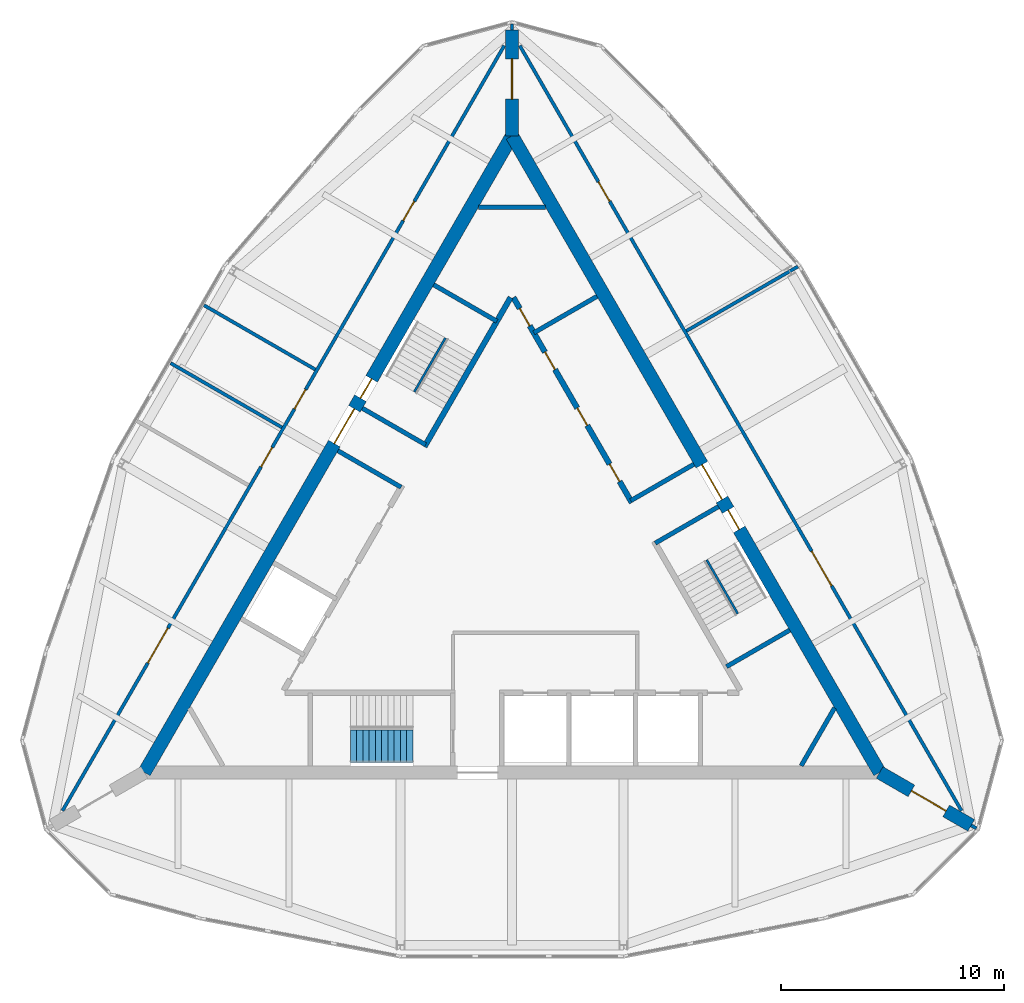
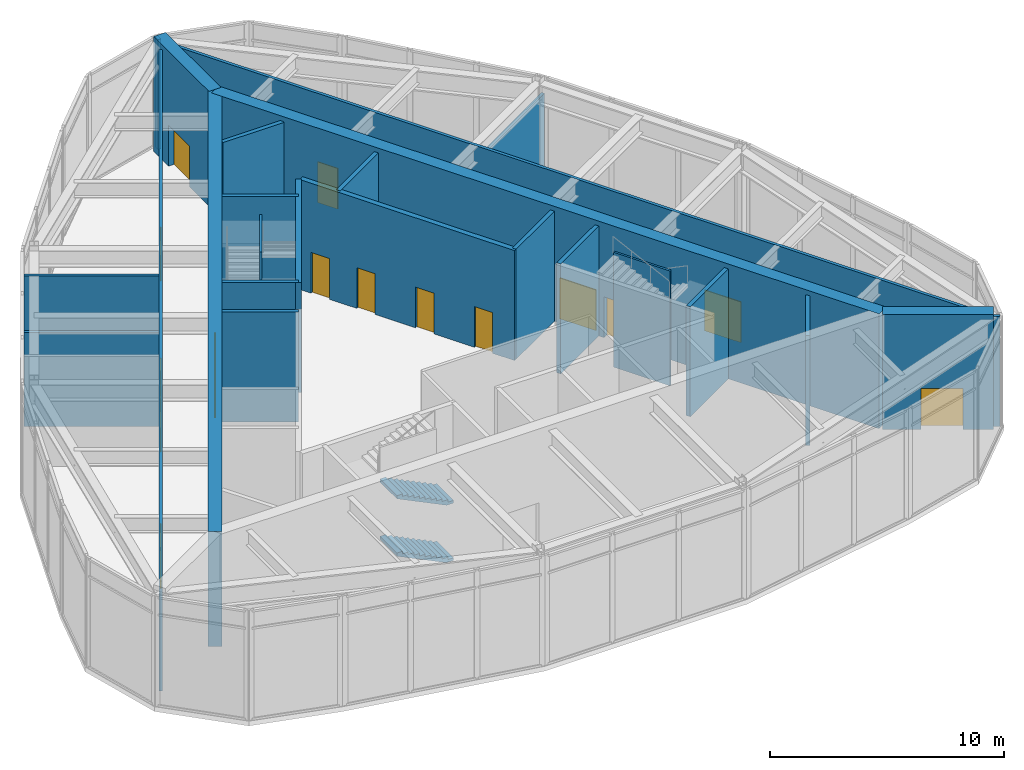
# One storey, part 7 of 9: 24 walls, 16 doors, 2 stair flights, 16 openings, 1 element without a shape of its own.
"""IFC4 building model written with IfcOpenShell, lengths in metres."""

from ifc_helpers import new_model, si_unit, direction, frame, frame_2d, origin, place, context, subcontext, project, spatial, polyline, rectangle, outline, extrude, material, layer, layer_set, type_object, element, fill, aggregate, save


model = new_model("IFC4")

# Units and contexts
model_context = context("Model", 3, precision=1e-05, world=origin(), true_north=direction((0.0, 1.0)))
body_context = subcontext(model_context, "Body", "Model", "MODEL_VIEW")
ifc_project = project(units=[si_unit("LENGTHUNIT", "METRE"), si_unit("AREAUNIT", "SQUARE_METRE"), si_unit("VOLUMEUNIT", "CUBIC_METRE"), si_unit("PLANEANGLEUNIT", "RADIAN"), si_unit("MASSUNIT", "GRAM", prefix="KILO")], contexts=[model_context])

# Site, building, storey
site_placement = place(None, origin())
site = spatial("IfcSite", under=ifc_project, at=site_placement, CompositionType="ELEMENT")
building_placement = place(site_placement, origin())
building = spatial("IfcBuilding", under=site, at=building_placement, Name="Trikona Tower", CompositionType="ELEMENT")
storey_placement = place(building_placement, frame((0.0, 0.0, 286.800048828125)))
storey = spatial("IfcBuildingStorey", under=building, at=storey_placement, Name="L75", CompositionType="ELEMENT", Elevation=286.800048828125)

# Wall, opening, door
ifc_material_1 = material(Name="Concrete f'c 10000 psi", Category="concrete")
ifc_layer_1 = layer(ifc_material_1, 0.60009765625)
ifc_layer_set_1 = layer_set([ifc_layer_1], Name="Buttress wall 600")
wall_type_1 = type_object("IfcWallType", Name="Buttress wall 600", PredefinedType="SHEAR", material=ifc_layer_set_1)
wall_1_placement = place(storey_placement, frame((16.5, -9.5263671875, 0.0), z_axis=(0.0, 0.0, 1.0), x_axis=(0.866031398331, -0.499989616998, 0.0)))
wall_1 = element("IfcWall", 1, at=wall_1_placement, inside=storey, type_object=wall_type_1, Name="Buttress wall 1", PredefinedType="SHEAR", context=body_context, shape_type="SweptSolid", body=[
    extrude(rectangle(XDim=4.74609375, YDim=0.60009765625, at=frame_2d((2.373046875, 0.0))), origin(), (0.0, 0.0, 1.0), 6.0),
])
opening_1_placement = place(wall_1_placement, frame((1.64990234375, 0.0, 0.0)))
opening_1 = element("IfcOpeningElement", 2, at=opening_1_placement, cuts=wall_1, Name="Opening D10", PredefinedType="OPENING", context=body_context, shape_type="SweptSolid", body=[
    extrude(rectangle(XDim=1.800048828125, YDim=2.1298828125, at=frame_2d((0.89990234375, 1.06494140625))), frame((0.0, 0.31005859375, 0.0), z_axis=(0.0, -1.0, 0.0), x_axis=(1.0, 0.0, 0.0)), (0.0, 0.0, 1.0), 0.6201171875),
])
ifc_material_2 = material(Name="Hollow metal door and frame", Category="steel")
door_type_1 = type_object("IfcDoorType", Name="Cross-corridor door pair 1800x2130", OperationType="DOUBLE_DOOR_DOUBLE_SWING", PredefinedType="DOOR", material=ifc_material_2)
door_1_placement = place(opening_1_placement, origin())
door_1 = element("IfcDoor", 3, at=door_1_placement, inside=storey, type_object=door_type_1, Name="Cross-corridor door 1", OperationType="DOUBLE_DOOR_DOUBLE_SWING", OverallHeight=2.1298828125, OverallWidth=1.800048828125, PredefinedType="DOOR", context=body_context, shape_type="SweptSolid", body=[
    extrude(rectangle(XDim=1.800048828125, YDim=2.1298828125, at=frame_2d((0.89990234375, 1.06494140625))), frame((0.0, 0.02490234375, 0.0), z_axis=(0.0, -1.0, 0.0), x_axis=(1.0, 0.0, 0.0)), (0.0, 0.0, 1.0), 0.050048828125),
])
fill(opening_1, door_1)

wall_2_placement = place(storey_placement, frame((0.0, 19.052490234375, 0.0), z_axis=(0.0, 0.0, 1.0), x_axis=(0.0, 1.0, 0.0)))
wall_2 = element("IfcWall", 4, at=wall_2_placement, inside=storey, type_object=wall_type_1, Name="Buttress wall 2", PredefinedType="SHEAR", context=body_context, shape_type="SweptSolid", body=[
    extrude(rectangle(XDim=4.74609375, YDim=0.60009765625, at=frame_2d((2.373046875, 0.0))), origin(), (0.0, 0.0, 1.0), 6.0),
])
opening_2_placement = place(wall_2_placement, frame((1.64990234375, 0.0, 0.0)))
opening_2 = element("IfcOpeningElement", 5, at=opening_2_placement, cuts=wall_2, Name="Opening D10", PredefinedType="OPENING", context=body_context, shape_type="SweptSolid", body=[
    extrude(rectangle(XDim=1.800048828125, YDim=2.1298828125, at=frame_2d((0.89990234375, 1.06494140625))), frame((0.0, 0.31005859375, 0.0), z_axis=(0.0, -1.0, 0.0), x_axis=(1.0, 0.0, 0.0)), (0.0, 0.0, 1.0), 0.6201171875),
])
door_2_placement = place(opening_2_placement, origin())
door_2 = element("IfcDoor", 6, at=door_2_placement, inside=storey, type_object=door_type_1, Name="Cross-corridor door 2", OperationType="DOUBLE_DOOR_DOUBLE_SWING", OverallHeight=2.1298828125, OverallWidth=1.800048828125, PredefinedType="DOOR", context=body_context, shape_type="SweptSolid", body=[
    extrude(rectangle(XDim=1.800048828125, YDim=2.1298828125, at=frame_2d((0.89990234375, 1.06494140625))), frame((0.0, 0.02490234375, 0.0), z_axis=(0.0, -1.0, 0.0), x_axis=(1.0, 0.0, 0.0)), (0.0, 0.0, 1.0), 0.050048828125),
])
fill(opening_2, door_2)

# Wall, openings, doors
ifc_material_3 = material(Name="Concrete f'c 10000 psi", Category="concrete")
ifc_layer_2 = layer(ifc_material_3, 0.60009765625)
ifc_layer_set_2 = layer_set([ifc_layer_2], Name="Core wall 600")
wall_type_2 = type_object("IfcWallType", Name="Core wall 600", PredefinedType="SHEAR", material=ifc_layer_set_2)
wall_3_placement = place(storey_placement, frame((16.5, -9.5263671875, 0.0), z_axis=(0.0, 0.0, 1.0), x_axis=(-0.499999749417, 0.866025548458, 0.0)))
wall_3 = element("IfcWall", 7, at=wall_3_placement, inside=storey, type_object=wall_type_2, Name="Core wall B", PredefinedType="SHEAR", context=body_context, shape_type="SweptSolid", body=[
    extrude(rectangle(XDim=33.0, YDim=0.60009765625, at=frame_2d((16.5, 0.0))), origin(), (0.0, 0.0, 1.0), 6.0),
])
opening_3_placement = place(wall_3_placement, frame((14.14990234375, 0.0, 0.0)))
opening_3 = element("IfcOpeningElement", 8, at=opening_3_placement, cuts=wall_3, Name="Opening D6", PredefinedType="OPENING", context=body_context, shape_type="SweptSolid", body=[
    extrude(rectangle(XDim=1.800048828125, YDim=2.1298828125, at=frame_2d((0.89990234375, 1.06494140625))), frame((0.0, 0.31005859375, 0.0), z_axis=(0.0, -1.0, 0.0), x_axis=(1.0, 0.0, 0.0)), (0.0, 0.0, 1.0), 0.6201171875),
])
opening_4_placement = place(wall_3_placement, frame((12.60009765625, 0.0, 0.0)))
opening_4 = element("IfcOpeningElement", 9, at=opening_4_placement, cuts=wall_3, Name="Opening D5", PredefinedType="OPENING", context=body_context, shape_type="SweptSolid", body=[
    extrude(rectangle(XDim=1.0, YDim=2.1298828125, at=frame_2d((0.5, 1.06494140625))), frame((0.0, 0.31005859375, 0.0), z_axis=(0.0, -1.0, 0.0), x_axis=(1.0, 0.0, 0.0)), (0.0, 0.0, 1.0), 0.6201171875),
])
ifc_material_4 = material(Name="Hollow metal door and frame", Category="steel")
door_type_2 = type_object("IfcDoorType", Name="Lobby door pair 1800x2130", OperationType="DOUBLE_DOOR_SINGLE_SWING", PredefinedType="DOOR", material=ifc_material_4)
door_3_placement = place(opening_3_placement, origin())
door_3 = element("IfcDoor", 10, at=door_3_placement, inside=storey, type_object=door_type_2, Name="Lift lobby door B", OperationType="DOUBLE_DOOR_SINGLE_SWING", OverallHeight=2.1298828125, OverallWidth=1.800048828125, PredefinedType="DOOR", context=body_context, shape_type="SweptSolid", body=[
    extrude(rectangle(XDim=1.800048828125, YDim=2.1298828125, at=frame_2d((0.89990234375, 1.06494140625))), frame((0.0, 0.02490234375, 0.0), z_axis=(0.0, -1.0, 0.0), x_axis=(1.0, 0.0, 0.0)), (0.0, 0.0, 1.0), 0.050048828125),
])
fill(opening_3, door_3)
ifc_material_5 = material(Name="Hollow metal door and frame", Category="steel")
door_type_3 = type_object("IfcDoorType", Name="Stair door 1000x2130", OperationType="SINGLE_SWING_LEFT", PredefinedType="DOOR", material=ifc_material_5)
door_4_placement = place(opening_4_placement, origin())
door_4 = element("IfcDoor", 11, at=door_4_placement, inside=storey, type_object=door_type_3, Name="Stair B door", OperationType="SINGLE_SWING_RIGHT", OverallHeight=2.1298828125, OverallWidth=1.0, PredefinedType="DOOR", context=body_context, shape_type="SweptSolid", body=[
    extrude(rectangle(XDim=1.0, YDim=2.1298828125, at=frame_2d((0.5, 1.06494140625))), frame((0.0, 0.02490234375, 0.0), z_axis=(0.0, -1.0, 0.0), x_axis=(1.0, 0.0, 0.0)), (0.0, 0.0, 1.0), 0.050048828125),
])
fill(opening_4, door_4)

wall_4_placement = place(storey_placement, frame((0.0, 19.052490234375, 0.0), z_axis=(0.0, 0.0, 1.0), x_axis=(-0.499999749417, -0.866025548458, 0.0)))
wall_4 = element("IfcWall", 12, at=wall_4_placement, inside=storey, type_object=wall_type_2, Name="Core wall C", PredefinedType="SHEAR", context=body_context, shape_type="SweptSolid", body=[
    extrude(rectangle(XDim=33.0, YDim=0.60009765625, at=frame_2d((16.5, 0.0))), origin(), (0.0, 0.0, 1.0), 6.0),
])
opening_5_placement = place(wall_4_placement, frame((14.14990234375, 0.0, 0.0)))
opening_5 = element("IfcOpeningElement", 13, at=opening_5_placement, cuts=wall_4, Name="Opening D6", PredefinedType="OPENING", context=body_context, shape_type="SweptSolid", body=[
    extrude(rectangle(XDim=1.800048828125, YDim=2.1298828125, at=frame_2d((0.89990234375, 1.06494140625))), frame((0.0, 0.31005859375, 0.0), z_axis=(0.0, -1.0, 0.0), x_axis=(1.0, 0.0, 0.0)), (0.0, 0.0, 1.0), 0.6201171875),
])
opening_6_placement = place(wall_4_placement, frame((12.60009765625, 0.0, 0.0)))
opening_6 = element("IfcOpeningElement", 14, at=opening_6_placement, cuts=wall_4, Name="Opening D5", PredefinedType="OPENING", context=body_context, shape_type="SweptSolid", body=[
    extrude(rectangle(XDim=1.0, YDim=2.1298828125, at=frame_2d((0.5, 1.06494140625))), frame((0.0, 0.31005859375, 0.0), z_axis=(0.0, -1.0, 0.0), x_axis=(1.0, 0.0, 0.0)), (0.0, 0.0, 1.0), 0.6201171875),
])
door_5_placement = place(opening_5_placement, origin())
door_5 = element("IfcDoor", 15, at=door_5_placement, inside=storey, type_object=door_type_2, Name="Lift lobby door C", OperationType="DOUBLE_DOOR_SINGLE_SWING", OverallHeight=2.1298828125, OverallWidth=1.800048828125, PredefinedType="DOOR", context=body_context, shape_type="SweptSolid", body=[
    extrude(rectangle(XDim=1.800048828125, YDim=2.1298828125, at=frame_2d((0.89990234375, 1.06494140625))), frame((0.0, 0.02490234375, 0.0), z_axis=(0.0, -1.0, 0.0), x_axis=(1.0, 0.0, 0.0)), (0.0, 0.0, 1.0), 0.050048828125),
])
fill(opening_5, door_5)
door_6_placement = place(opening_6_placement, origin())
door_6 = element("IfcDoor", 16, at=door_6_placement, inside=storey, type_object=door_type_3, Name="Stair C door", OperationType="SINGLE_SWING_RIGHT", OverallHeight=2.1298828125, OverallWidth=1.0, PredefinedType="DOOR", context=body_context, shape_type="SweptSolid", body=[
    extrude(rectangle(XDim=1.0, YDim=2.1298828125, at=frame_2d((0.5, 1.06494140625))), frame((0.0, 0.02490234375, 0.0), z_axis=(0.0, -1.0, 0.0), x_axis=(1.0, 0.0, 0.0)), (0.0, 0.0, 1.0), 0.050048828125),
])
fill(opening_6, door_6)

ifc_material_6 = material(Name="Metal stud and gypsum board, 1-hour", Category="gypsum")
ifc_layer_3 = layer(ifc_material_6, 0.14990234375)
ifc_layer_set_3 = layer_set([ifc_layer_3], Name="Corridor wall 150")
wall_type_3 = type_object("IfcWallType", Name="Corridor wall 150", PredefinedType="PARTITIONING", material=ifc_layer_set_3)
wall_5_placement = place(storey_placement, frame((20.177001953125, -11.2451171875, 0.0), z_axis=(0.0, 0.0, 1.0), x_axis=(-0.499998875317, 0.866026053119, 0.0)))
wall_5 = element("IfcWall", 17, at=wall_5_placement, inside=storey, type_object=wall_type_3, Name="Corridor wall L75-2", PredefinedType="PARTITIONING", context=body_context, shape_type="SweptSolid", body=[
    extrude(rectangle(XDim=39.65380859375, YDim=0.14990234375, at=frame_2d((19.826904296875, 0.0))), origin(), (0.0, 0.0, 1.0), 5.75),
])
opening_7_placement = place(wall_5_placement, frame((11.66357421875, 0.0, 0.0)))
opening_7 = element("IfcOpeningElement", 18, at=opening_7_placement, cuts=wall_5, Name="Opening D4", PredefinedType="OPENING", context=body_context, shape_type="SweptSolid", body=[
    extrude(rectangle(XDim=1.800048828125, YDim=2.1298828125, at=frame_2d((0.89990234375, 1.06494140625))), frame((0.0, 0.0849609375, 0.0), z_axis=(0.0, -1.0, 0.0), x_axis=(1.0, 0.0, 0.0)), (0.0, 0.0, 1.0), 0.169921875),
])
opening_8_placement = place(wall_5_placement, frame((31.590576171875, 0.0, 0.0)))
opening_8 = element("IfcOpeningElement", 19, at=opening_8_placement, cuts=wall_5, Name="Opening D3", PredefinedType="OPENING", context=body_context, shape_type="SweptSolid", body=[
    extrude(rectangle(XDim=1.0, YDim=2.1298828125, at=frame_2d((0.5, 1.06494140625))), frame((0.0, 0.0849609375, 0.0), z_axis=(0.0, -1.0, 0.0), x_axis=(1.0, 0.0, 0.0)), (0.0, 0.0, 1.0), 0.169921875),
])
ifc_material_7 = material(Name="Steel door frame with solid-core timber leaf", Category="steel")
door_type_4 = type_object("IfcDoorType", Name="Assembly door pair 1800x2130", OperationType="DOUBLE_DOOR_SINGLE_SWING", PredefinedType="DOOR", material=ifc_material_7)
door_7_placement = place(opening_7_placement, origin())
door_7 = element("IfcDoor", 20, at=door_7_placement, inside=storey, type_object=door_type_4, Name="Door Observation gallery north-east", OperationType="DOUBLE_DOOR_SINGLE_SWING", OverallHeight=2.1298828125, OverallWidth=1.800048828125, PredefinedType="DOOR", context=body_context, shape_type="SweptSolid", body=[
    extrude(rectangle(XDim=1.800048828125, YDim=2.1298828125, at=frame_2d((0.89990234375, 1.06494140625))), frame((0.0, 0.02490234375, 0.0), z_axis=(0.0, -1.0, 0.0), x_axis=(1.0, 0.0, 0.0)), (0.0, 0.0, 1.0), 0.050048828125),
])
fill(opening_7, door_7)
ifc_material_8 = material(Name="Steel door frame with solid-core timber leaf", Category="steel")
door_type_5 = type_object("IfcDoorType", Name="Room door 1000x2130", OperationType="SINGLE_SWING_LEFT", PredefinedType="DOOR", material=ifc_material_8)
door_8_placement = place(opening_8_placement, origin())
door_8 = element("IfcDoor", 21, at=door_8_placement, inside=storey, type_object=door_type_5, Name="Door Gift shop", OperationType="SINGLE_SWING_LEFT", OverallHeight=2.1298828125, OverallWidth=1.0, PredefinedType="DOOR", context=body_context, shape_type="SweptSolid", body=[
    extrude(rectangle(XDim=1.0, YDim=2.1298828125, at=frame_2d((0.5, 1.06494140625))), frame((0.0, 0.02490234375, 0.0), z_axis=(0.0, -1.0, 0.0), x_axis=(1.0, 0.0, 0.0)), (0.0, 0.0, 1.0), 0.050048828125),
])
fill(opening_8, door_8)

wall_6_placement = place(storey_placement, frame((-0.35009765625, 23.09619140625, 0.0), z_axis=(0.0, 0.0, 1.0), x_axis=(-0.499998875317, -0.866026053119, 0.0)))
wall_6 = element("IfcWall", 22, at=wall_6_placement, inside=storey, type_object=wall_type_3, Name="Corridor wall L75-3", PredefinedType="PARTITIONING", context=body_context, shape_type="SweptSolid", body=[
    extrude(rectangle(XDim=39.65380859375, YDim=0.14990234375, at=frame_2d((19.826904296875, 0.0))), origin(), (0.0, 0.0, 1.0), 5.75),
])
opening_9_placement = place(wall_6_placement, frame((8.0634765625, 0.0, 0.0)))
opening_9 = element("IfcOpeningElement", 23, at=opening_9_placement, cuts=wall_6, Name="Opening D3", PredefinedType="OPENING", context=body_context, shape_type="SweptSolid", body=[
    extrude(rectangle(XDim=1.0, YDim=2.1298828125, at=frame_2d((0.5, 1.06494140625))), frame((0.0, 0.0849609375, 0.0), z_axis=(0.0, -1.0, 0.0), x_axis=(1.0, 0.0, 0.0)), (0.0, 0.0, 1.0), 0.169921875),
])
opening_10_placement = place(wall_6_placement, frame((17.826904296875, 0.0, 0.0)))
opening_10 = element("IfcOpeningElement", 24, at=opening_10_placement, cuts=wall_6, Name="Opening D3", PredefinedType="OPENING", context=body_context, shape_type="SweptSolid", body=[
    extrude(rectangle(XDim=1.0, YDim=2.1298828125, at=frame_2d((0.5, 1.06494140625))), frame((0.0, 0.0849609375, 0.0), z_axis=(0.0, -1.0, 0.0), x_axis=(1.0, 0.0, 0.0)), (0.0, 0.0, 1.0), 0.169921875),
])
opening_11_placement = place(wall_6_placement, frame((20.826904296875, 0.0, 0.0)))
opening_11 = element("IfcOpeningElement", 25, at=opening_11_placement, cuts=wall_6, Name="Opening D3", PredefinedType="OPENING", context=body_context, shape_type="SweptSolid", body=[
    extrude(rectangle(XDim=1.0, YDim=2.1298828125, at=frame_2d((0.5, 1.06494140625))), frame((0.0, 0.0849609375, 0.0), z_axis=(0.0, -1.0, 0.0), x_axis=(1.0, 0.0, 0.0)), (0.0, 0.0, 1.0), 0.169921875),
])
opening_12_placement = place(wall_6_placement, frame((30.1904296875, 0.0, 0.0)))
opening_12 = element("IfcOpeningElement", 26, at=opening_12_placement, cuts=wall_6, Name="Opening D4", PredefinedType="OPENING", context=body_context, shape_type="SweptSolid", body=[
    extrude(rectangle(XDim=1.800048828125, YDim=2.1298828125, at=frame_2d((0.89990234375, 1.06494140625))), frame((0.0, 0.0849609375, 0.0), z_axis=(0.0, -1.0, 0.0), x_axis=(1.0, 0.0, 0.0)), (0.0, 0.0, 1.0), 0.169921875),
])
door_9_placement = place(opening_12_placement, origin())
door_9 = element("IfcDoor", 27, at=door_9_placement, inside=storey, type_object=door_type_4, Name="Door Observation cafe", OperationType="DOUBLE_DOOR_SINGLE_SWING", OverallHeight=2.1298828125, OverallWidth=1.800048828125, PredefinedType="DOOR", context=body_context, shape_type="SweptSolid", body=[
    extrude(rectangle(XDim=1.800048828125, YDim=2.1298828125, at=frame_2d((0.89990234375, 1.06494140625))), frame((0.0, 0.02490234375, 0.0), z_axis=(0.0, -1.0, 0.0), x_axis=(1.0, 0.0, 0.0)), (0.0, 0.0, 1.0), 0.050048828125),
])
fill(opening_12, door_9)
door_10_placement = place(opening_9_placement, origin())
door_10 = element("IfcDoor", 28, at=door_10_placement, inside=storey, type_object=door_type_5, Name="Door Men's toilets", OperationType="SINGLE_SWING_LEFT", OverallHeight=2.1298828125, OverallWidth=1.0, PredefinedType="DOOR", context=body_context, shape_type="SweptSolid", body=[
    extrude(rectangle(XDim=1.0, YDim=2.1298828125, at=frame_2d((0.5, 1.06494140625))), frame((0.0, 0.02490234375, 0.0), z_axis=(0.0, -1.0, 0.0), x_axis=(1.0, 0.0, 0.0)), (0.0, 0.0, 1.0), 0.050048828125),
])
fill(opening_9, door_10)
door_11_placement = place(opening_10_placement, origin())
door_11 = element("IfcDoor", 29, at=door_11_placement, inside=storey, type_object=door_type_5, Name="Door Women's toilets", OperationType="SINGLE_SWING_RIGHT", OverallHeight=2.1298828125, OverallWidth=1.0, PredefinedType="DOOR", context=body_context, shape_type="SweptSolid", body=[
    extrude(rectangle(XDim=1.0, YDim=2.1298828125, at=frame_2d((0.5, 1.06494140625))), frame((0.0, 0.02490234375, 0.0), z_axis=(0.0, -1.0, 0.0), x_axis=(1.0, 0.0, 0.0)), (0.0, 0.0, 1.0), 0.050048828125),
])
fill(opening_10, door_11)
door_12_placement = place(opening_11_placement, origin())
door_12 = element("IfcDoor", 30, at=door_12_placement, inside=storey, type_object=door_type_5, Name="Door Accessible WC", OperationType="SINGLE_SWING_LEFT", OverallHeight=2.1298828125, OverallWidth=1.0, PredefinedType="DOOR", context=body_context, shape_type="SweptSolid", body=[
    extrude(rectangle(XDim=1.0, YDim=2.1298828125, at=frame_2d((0.5, 1.06494140625))), frame((0.0, 0.02490234375, 0.0), z_axis=(0.0, -1.0, 0.0), x_axis=(1.0, 0.0, 0.0)), (0.0, 0.0, 1.0), 0.050048828125),
])
fill(opening_11, door_12)

ifc_material_9 = material(Name="Concrete f'c 8000 psi", Category="concrete")
ifc_layer_4 = layer(ifc_material_9, 0.25)
ifc_layer_set_4 = layer_set([ifc_layer_4], Name="Hub wall 250")
wall_type_4 = type_object("IfcWallType", Name="Hub wall 250", PredefinedType="SOLIDWALL", material=ifc_layer_set_4)
wall_7_placement = place(storey_placement, frame((5.37890625, 2.5859375, 0.0), z_axis=(0.0, 0.0, 1.0), x_axis=(-0.500001375892, 0.866024609411, 0.0)))
wall_7 = element("IfcWall", 31, at=wall_7_placement, inside=storey, type_object=wall_type_4, Name="Lift lobby wall B2", PredefinedType="SOLIDWALL", context=body_context, shape_type="SweptSolid", body=[
    extrude(rectangle(XDim=10.6328125, YDim=0.25, at=frame_2d((5.31640625, 0.0))), origin(), (0.0, 0.0, 1.0), 5.75),
])
opening_13_placement = place(wall_7_placement, frame((9.1640625, 0.0, 0.0)))
opening_13 = element("IfcOpeningElement", 32, at=opening_13_placement, cuts=wall_7, Name="Opening D14", PredefinedType="OPENING", context=body_context, shape_type="SweptSolid", body=[
    extrude(rectangle(XDim=0.89990234375, YDim=2.1298828125, at=frame_2d((0.449951171875, 1.06494140625))), frame((0.0, 0.135009765625, 0.0), z_axis=(0.0, -1.0, 0.0), x_axis=(1.0, 0.0, 0.0)), (0.0, 0.0, 1.0), 0.27001953125),
])
opening_14_placement = place(wall_7_placement, frame((1.10009765625, 0.0, 0.0)))
opening_14 = element("IfcOpeningElement", 33, at=opening_14_placement, cuts=wall_7, Name="Opening D14", PredefinedType="OPENING", context=body_context, shape_type="SweptSolid", body=[
    extrude(rectangle(XDim=0.89990234375, YDim=2.1298828125, at=frame_2d((0.449951171875, 1.06494140625))), frame((0.0, 0.135009765625, 0.0), z_axis=(0.0, -1.0, 0.0), x_axis=(1.0, 0.0, 0.0)), (0.0, 0.0, 1.0), 0.27001953125),
])
opening_15_placement = place(wall_7_placement, frame((4.0, 0.0, 0.0)))
opening_15 = element("IfcOpeningElement", 34, at=opening_15_placement, cuts=wall_7, Name="Opening D14", PredefinedType="OPENING", context=body_context, shape_type="SweptSolid", body=[
    extrude(rectangle(XDim=0.89990234375, YDim=2.1298828125, at=frame_2d((0.449951171875, 1.06494140625))), frame((0.0, 0.135009765625, 0.0), z_axis=(0.0, -1.0, 0.0), x_axis=(1.0, 0.0, 0.0)), (0.0, 0.0, 1.0), 0.27001953125),
])
opening_16_placement = place(wall_7_placement, frame((6.89990234375, 0.0, 0.0)))
opening_16 = element("IfcOpeningElement", 35, at=opening_16_placement, cuts=wall_7, Name="Opening D14", PredefinedType="OPENING", context=body_context, shape_type="SweptSolid", body=[
    extrude(rectangle(XDim=0.89990234375, YDim=2.1298828125, at=frame_2d((0.449951171875, 1.06494140625))), frame((0.0, 0.135009765625, 0.0), z_axis=(0.0, -1.0, 0.0), x_axis=(1.0, 0.0, 0.0)), (0.0, 0.0, 1.0), 0.27001953125),
])
ifc_material_10 = material(Name="Hollow metal door and frame", Category="steel")
door_type_6 = type_object("IfcDoorType", Name="Service room door 900x2130", OperationType="SINGLE_SWING_LEFT", PredefinedType="DOOR", material=ifc_material_10)
door_13_placement = place(opening_13_placement, origin())
door_13 = element("IfcDoor", 36, at=door_13_placement, inside=storey, type_object=door_type_6, Name="Door Electrical room ELR", OperationType="SINGLE_SWING_RIGHT", OverallHeight=2.1298828125, OverallWidth=0.89990234375, PredefinedType="DOOR", context=body_context, shape_type="SweptSolid", body=[
    extrude(rectangle(XDim=0.89990234375, YDim=2.1298828125, at=frame_2d((0.449951171875, 1.06494140625))), frame((0.0, 0.02490234375, 0.0), z_axis=(0.0, -1.0, 0.0), x_axis=(1.0, 0.0, 0.0)), (0.0, 0.0, 1.0), 0.050048828125),
])
fill(opening_13, door_13)
door_14_placement = place(opening_14_placement, origin())
door_14 = element("IfcDoor", 37, at=door_14_placement, inside=storey, type_object=door_type_6, Name="Door Gift shop store GSS1", OperationType="SINGLE_SWING_LEFT", OverallHeight=2.1298828125, OverallWidth=0.89990234375, PredefinedType="DOOR", context=body_context, shape_type="SweptSolid", body=[
    extrude(rectangle(XDim=0.89990234375, YDim=2.1298828125, at=frame_2d((0.449951171875, 1.06494140625))), frame((0.0, 0.02490234375, 0.0), z_axis=(0.0, -1.0, 0.0), x_axis=(1.0, 0.0, 0.0)), (0.0, 0.0, 1.0), 0.050048828125),
])
fill(opening_14, door_14)
door_15_placement = place(opening_15_placement, origin())
door_15 = element("IfcDoor", 38, at=door_15_placement, inside=storey, type_object=door_type_6, Name="Door Gift shop store GSS1", OperationType="SINGLE_SWING_RIGHT", OverallHeight=2.1298828125, OverallWidth=0.89990234375, PredefinedType="DOOR", context=body_context, shape_type="SweptSolid", body=[
    extrude(rectangle(XDim=0.89990234375, YDim=2.1298828125, at=frame_2d((0.449951171875, 1.06494140625))), frame((0.0, 0.02490234375, 0.0), z_axis=(0.0, -1.0, 0.0), x_axis=(1.0, 0.0, 0.0)), (0.0, 0.0, 1.0), 0.050048828125),
])
fill(opening_15, door_15)
door_16_placement = place(opening_16_placement, origin())
door_16 = element("IfcDoor", 39, at=door_16_placement, inside=storey, type_object=door_type_6, Name="Door Gift shop store GSS1", OperationType="SINGLE_SWING_RIGHT", OverallHeight=2.1298828125, OverallWidth=0.89990234375, PredefinedType="DOOR", context=body_context, shape_type="SweptSolid", body=[
    extrude(rectangle(XDim=0.89990234375, YDim=2.1298828125, at=frame_2d((0.449951171875, 1.06494140625))), frame((0.0, 0.02490234375, 0.0), z_axis=(0.0, -1.0, 0.0), x_axis=(1.0, 0.0, 0.0)), (0.0, 0.0, 1.0), 0.050048828125),
])
fill(opening_16, door_16)

# Walls
wall_8_placement = place(storey_placement, frame((-0.0625, 11.794189453125, 0.0), z_axis=(0.0, 0.0, 1.0), x_axis=(-0.500006680225, -0.86602154692, 0.0)))
element("IfcWall", 40, at=wall_8_placement, inside=storey, type_object=wall_type_4, Name="Lift lobby wall C1", PredefinedType="SOLIDWALL", context=body_context, shape_type="SweptSolid", body=[
    extrude(rectangle(XDim=7.73291015625, YDim=0.25, at=frame_2d((3.866455078125, 0.0))), origin(), (0.0, 0.0, 1.0), 5.75),
])
ifc_material_11 = material(Name="Metal stud and gypsum board, 1-hour acoustic", Category="gypsum")
ifc_layer_5 = layer(ifc_material_11, 0.14990234375)
ifc_layer_set_5 = layer_set([ifc_layer_5], Name="Party wall 150")
wall_type_5 = type_object("IfcWallType", Name="Party wall 150", PredefinedType="PARTITIONING", material=ifc_layer_set_5)
wall_9_placement = place(storey_placement, frame((7.82861328125, 10.293212890625, 0.0), z_axis=(0.0, 0.0, 1.0), x_axis=(0.866003332883, 0.500038225974, 0.0)))
element("IfcWall", 41, at=wall_9_placement, inside=storey, type_object=wall_type_5, Name="Partition L75 F2 u5", PredefinedType="PARTITIONING", context=body_context, shape_type="SweptSolid", body=[
    extrude(rectangle(XDim=5.77783203125, YDim=0.14990234375, at=frame_2d((2.888916015625, 0.0))), origin(), (0.0, 0.0, 1.0), 4.89404296875),
])
wall_10_placement = place(storey_placement, frame((-8.82861328125, 8.561279296875, 0.0), z_axis=(0.0, 0.0, 1.0), x_axis=(-0.866015751745, 0.50001671745, 0.0)))
element("IfcWall", 42, at=wall_10_placement, inside=storey, type_object=wall_type_5, Name="Partition L75 F3 u-3", PredefinedType="PARTITIONING", context=body_context, shape_type="SweptSolid", body=[
    extrude(rectangle(XDim=5.769287109375, YDim=0.14990234375, at=frame_2d((2.884765625, 0.0))), origin(), (0.0, 0.0, 1.0), 5.75),
])
wall_11_placement = place(storey_placement, frame((-10.32861328125, 5.963134765625, 0.0), z_axis=(0.0, 0.0, 1.0), x_axis=(-0.866015751745, 0.50001671745, 0.0)))
element("IfcWall", 43, at=wall_11_placement, inside=storey, type_object=wall_type_5, Name="Partition L75 F3 u-8.88178e-16", PredefinedType="PARTITIONING", context=body_context, shape_type="SweptSolid", body=[
    extrude(rectangle(XDim=5.769287109375, YDim=0.14990234375, at=frame_2d((2.884765625, 0.0))), origin(), (0.0, 0.0, 1.0), 4.89404296875),
])
wall_12_placement = place(storey_placement, frame((20.6103515625, -11.8994140625, 0.0), z_axis=(0.0, 0.0, 1.0), x_axis=(0.866065156741, -0.499931139538, 0.0)))
element("IfcWall", 44, at=wall_12_placement, inside=storey, type_object=wall_type_5, Name="Partition L75 Buttress wall 1 closure", PredefinedType="PARTITIONING", context=body_context, shape_type="SweptSolid", body=[
    extrude(rectangle(XDim=0.27001953125, YDim=0.14990234375, at=frame_2d((0.135009765625, 0.0))), origin(), (0.0, 0.0, 1.0), 5.75),
])
wall_13_placement = place(storey_placement, frame((0.0, 23.798583984375, 0.0), z_axis=(0.0, 0.0, 1.0), x_axis=(0.0, 1.0, 0.0)))
element("IfcWall", 45, at=wall_13_placement, inside=storey, type_object=wall_type_5, Name="Partition L75 Buttress wall 2 closure", PredefinedType="PARTITIONING", context=body_context, shape_type="SweptSolid", body=[
    extrude(rectangle(XDim=0.270263671875, YDim=0.14990234375, at=frame_2d((0.13525390625, 0.0))), origin(), (0.0, 0.0, 1.0), 5.75),
])
ifc_material_12 = material(Name="Concrete f'c 8000 psi", Category="concrete")
ifc_layer_6 = layer(ifc_material_12, 0.199951171875)
ifc_layer_set_6 = layer_set([ifc_layer_6], Name="Shaft wall 200")
wall_type_6 = type_object("IfcWallType", Name="Shaft wall 200", PredefinedType="SOLIDWALL", material=ifc_layer_set_6)
for number, where, z_axis, x_axis, name in (
    (46, (5.3291015625, 2.672607421875, 0.0), (0.0, 0.0, 1.0), (0.866027924134, 0.499995634601, 0.0), "Shaft wall B3"),
    (47, (0.97900390625, 10.20703125, 0.0), (0.0, 0.0, 1.0), (0.866027924134, 0.499995634601, 0.0), "Shaft wall B6"),
    (48, (-4.97900390625, 3.27880859375, 0.0), (0.0, 0.0, 1.0), (-0.866027924134, 0.499995634601, 0.0), "Shaft wall C3"),
):
    element("IfcWall", number, at=place(storey_placement, frame(where, z_axis=z_axis, x_axis=x_axis)), inside=storey, type_object=wall_type_6, Name=name, PredefinedType="SOLIDWALL", context=body_context, shape_type="SweptSolid", body=[
        extrude(rectangle(XDim=3.27490234375, YDim=0.199951171875, at=frame_2d((1.637451171875, 0.0))), origin(), (0.0, 0.0, 1.0), 5.75),
    ])
wall_14_placement = place(storey_placement, frame((14.479248046875, -6.626220703125, 0.0), z_axis=(0.0, 0.0, 1.0), x_axis=(-0.499952404951, -0.866052881055, 0.0)))
element("IfcWall", 49, at=wall_14_placement, inside=storey, type_object=wall_type_6, Name="Riser wall L75-RS1", PredefinedType="SOLIDWALL", context=body_context, shape_type="SweptSolid", body=[
    extrude(rectangle(XDim=3.002197265625, YDim=0.199951171875, at=frame_2d((1.5009765625, 0.0))), origin(), (0.0, 0.0, 1.0), 5.75),
])
wall_15_placement = place(storey_placement, frame((-1.501220703125, 15.8525390625, 0.0), z_axis=(0.0, 0.0, 1.0), x_axis=(1.0, 0.0, 0.0)))
element("IfcWall", 50, at=wall_15_placement, inside=storey, type_object=wall_type_6, Name="Riser wall L75-RS2", PredefinedType="SOLIDWALL", context=body_context, shape_type="SweptSolid", body=[
    extrude(rectangle(XDim=3.00244140625, YDim=0.199951171875, at=frame_2d((1.501220703125, 0.0))), origin(), (0.0, 0.0, 1.0), 5.75),
])
ifc_material_13 = material(Name="Concrete f'c 8000 psi", Category="concrete")
ifc_layer_7 = layer(ifc_material_13, 0.199951171875)
ifc_layer_set_7 = layer_set([ifc_layer_7], Name="Shaft wall 200 load-bearing")
wall_type_7 = type_object("IfcWallType", Name="Shaft wall 200 load-bearing", PredefinedType="SOLIDWALL", material=ifc_layer_set_7)
wall_16_placement = place(storey_placement, frame((9.62890625, -4.775390625, 0.0), z_axis=(0.0, 0.0, 1.0), x_axis=(0.865995643347, 0.500051543047, 0.0)))
element("IfcWall", 51, at=wall_16_placement, inside=storey, type_object=wall_type_7, Name="Shaft wall B1", PredefinedType="SOLIDWALL", context=body_context, shape_type="SweptSolid", body=[
    extrude(rectangle(XDim=3.275146484375, YDim=0.199951171875, at=frame_2d((1.6376953125, 0.0))), origin(), (0.0, 0.0, 1.0), 5.75),
])
for number, where, z_axis, x_axis, name in (
    (52, (6.428955078125, 0.767333984375, 0.0), (0.0, 0.0, 1.0), (0.866027924134, 0.499995634601, 0.0), "Shaft wall B2"),
    (53, (-0.678955078125, 10.7265625, 0.0), (0.0, 0.0, 1.0), (-0.866027924134, 0.499995634601, 0.0), "Shaft wall C1"),
    (54, (-3.87890625, 5.18408203125, 0.0), (0.0, 0.0, 1.0), (-0.866027924134, 0.499995634601, 0.0), "Shaft wall C2"),
):
    element("IfcWall", number, at=place(storey_placement, frame(where, z_axis=z_axis, x_axis=x_axis)), inside=storey, type_object=wall_type_7, Name=name, PredefinedType="SOLIDWALL", context=body_context, shape_type="SweptSolid", body=[
        extrude(rectangle(XDim=3.27490234375, YDim=0.199951171875, at=frame_2d((1.637451171875, 0.0))), origin(), (0.0, 0.0, 1.0), 5.75),
    ])
ifc_material_14 = material(Name="Concrete f'c 5000 psi", Category="concrete")
ifc_layer_8 = layer(ifc_material_14, 0.10009765625)
ifc_layer_set_8 = layer_set([ifc_layer_8], Name="Stair spine wall 100")
wall_type_8 = type_object("IfcWallType", Name="Stair spine wall 100", PredefinedType="SOLIDWALL", material=ifc_layer_set_8)
for number, where, z_axis, x_axis, name in (
    (55, (10.134765625, -2.4013671875, 0.0), (0.0, 0.0, 1.0), (-0.499992232847, 0.866029888106, 0.0), "Stair B spine wall L75"),
    (56, (-2.98779296875, 9.9775390625, 0.0), (0.0, 0.0, 1.0), (-0.499992232847, -0.866029888106, 0.0), "Stair C spine wall L75"),
):
    element("IfcWall", number, at=place(storey_placement, frame(where, z_axis=z_axis, x_axis=x_axis)), inside=storey, type_object=wall_type_8, Name=name, PredefinedType="SOLIDWALL", context=body_context, shape_type="SweptSolid", body=[
        extrude(rectangle(XDim=2.7939453125, YDim=0.10009765625, at=frame_2d((1.39697265625, 0.0))), origin(), (0.0, 0.0, 1.0), 6.0),
    ])

# Stair, stair flights
ifc_material_15 = material(Name="Concrete f'c 5000 psi", Category="concrete")
stair_type = type_object("IfcStairType", Name="Core stair", PredefinedType="HALF_TURN_STAIR", material=ifc_material_15)
stair_placement = place(storey_placement, origin())
stair = element("IfcStair", 57, at=stair_placement, inside=storey, type_object=stair_type, Name="Stair A L75", PredefinedType="HALF_TURN_STAIR")
ifc_material_16 = material(Name="Concrete f'c 5000 psi", Category="concrete")
stair_flight_type = type_object("IfcStairFlightType", Name="Core stair flight 1450", PredefinedType="STRAIGHT", material=ifc_material_16)
stair_flight_1_placement = place(storey_placement, frame((-4.449951171875, -8.351318359375, 0.0), z_axis=(0.0, 0.0, 1.0), x_axis=(-1.0, 0.0, 0.0)))
stair_flight_1 = element("IfcStairFlight", 58, at=stair_flight_1_placement, type_object=stair_flight_type, Name="ST-A flight 1", NumberOfRisers=11, NumberOfTreads=10, PredefinedType="STRAIGHT", RiserHeight=0.136364, TreadLength=0.28, context=body_context, shape_type="SweptSolid", body=[
    extrude(outline(polyline([(0.0, 0.0), (0.0, 0.136474609375), (0.280029296875, 0.136474609375), (0.280029296875, 0.272705078125), (0.56005859375, 0.272705078125), (0.56005859375, 0.4091796875), (0.840087890625, 0.4091796875), (0.840087890625, 0.54541015625), (1.1201171875, 0.54541015625), (1.1201171875, 0.681884765625), (1.39990234375, 0.681884765625), (1.39990234375, 0.818115234375), (1.679931640625, 0.818115234375), (1.679931640625, 0.95458984375), (1.9599609375, 0.95458984375), (1.9599609375, 1.0908203125), (2.239990234375, 1.0908203125), (2.239990234375, 1.227294921875), (2.52001953125, 1.227294921875), (2.52001953125, 1.363525390625), (2.800048828125, 1.363525390625), (2.800048828125, 1.5), (2.800048828125, 1.197021484375), (0.34228515625, 0.0), (0.0, 0.0)])), frame((0.0, 0.72509765625, 0.0), z_axis=(0.0, -1.0, 0.0), x_axis=(1.0, 0.0, 0.0)), (0.0, 0.0, 1.0), 1.449951171875),
])
stair_flight_2_placement = place(storey_placement, frame((-4.449951171875, -8.351318359375, 3.0), z_axis=(0.0, 0.0, 1.0), x_axis=(-1.0, 0.0, 0.0)))
stair_flight_2 = element("IfcStairFlight", 59, at=stair_flight_2_placement, type_object=stair_flight_type, Name="ST-A flight 3", NumberOfRisers=11, NumberOfTreads=10, PredefinedType="STRAIGHT", RiserHeight=0.136364, TreadLength=0.28, context=body_context, shape_type="SweptSolid", body=[
    extrude(outline(polyline([(0.0, 0.0), (0.0, 0.136474609375), (0.280029296875, 0.136474609375), (0.280029296875, 0.272705078125), (0.56005859375, 0.272705078125), (0.56005859375, 0.4091796875), (0.840087890625, 0.4091796875), (0.840087890625, 0.54541015625), (1.1201171875, 0.54541015625), (1.1201171875, 0.681884765625), (1.39990234375, 0.681884765625), (1.39990234375, 0.818115234375), (1.679931640625, 0.818115234375), (1.679931640625, 0.95458984375), (1.9599609375, 0.95458984375), (1.9599609375, 1.0908203125), (2.239990234375, 1.0908203125), (2.239990234375, 1.227294921875), (2.52001953125, 1.227294921875), (2.52001953125, 1.363525390625), (2.800048828125, 1.363525390625), (2.800048828125, 1.5), (2.800048828125, 1.197021484375), (0.34228515625, 0.0), (0.0, 0.0)])), frame((0.0, 0.72509765625, 0.0), z_axis=(0.0, -1.0, 0.0), x_axis=(1.0, 0.0, 0.0)), (0.0, 0.0, 1.0), 1.449951171875),
])
aggregate(stair, [stair_flight_1, stair_flight_2])

save(model, "model.ifc")
